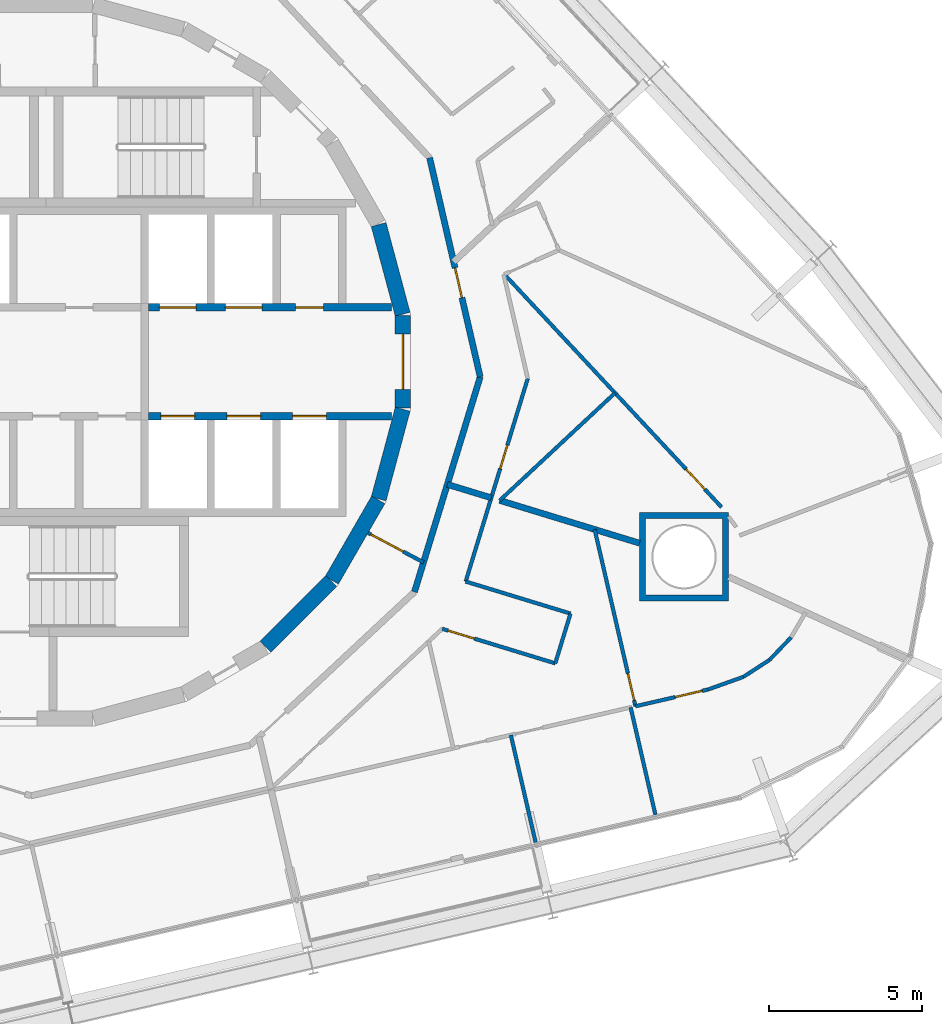
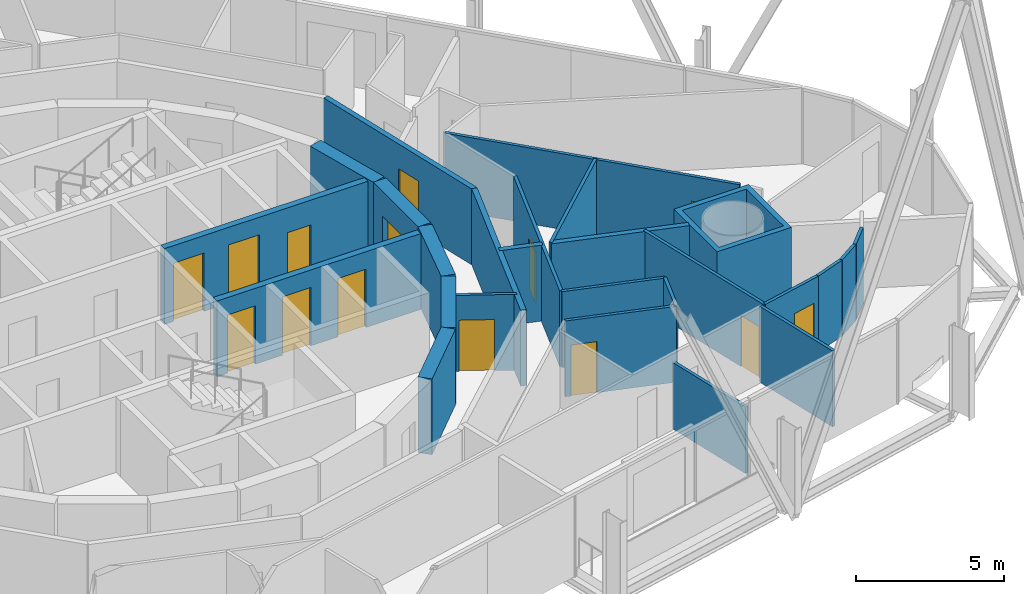
# One storey, part 14 of 18: 26 walls, 14 doors, 14 openings.
"""IFC4 building model written with IfcOpenShell, lengths in metres."""

from ifc_helpers import new_model, si_unit, direction, frame, frame_2d, origin, place, context, subcontext, project, spatial, polyline, rectangle, outline, extrude, material, layer, layer_set, type_object, element, fill, save


model = new_model("IFC4")

# Units and contexts
model_context = context("Model", 3, precision=1e-05, world=origin(), true_north=direction((0.0, 1.0)))
body_context = subcontext(model_context, "Body", "Model", "MODEL_VIEW")
ifc_project = project(units=[si_unit("LENGTHUNIT", "METRE"), si_unit("AREAUNIT", "SQUARE_METRE"), si_unit("VOLUMEUNIT", "CUBIC_METRE"), si_unit("PLANEANGLEUNIT", "RADIAN"), si_unit("MASSUNIT", "GRAM", prefix="KILO")], contexts=[model_context])

# Site, building, storey
site_placement = place(None, origin())
site = spatial("IfcSite", under=ifc_project, at=site_placement, CompositionType="ELEMENT")
building_placement = place(site_placement, origin())
building = spatial("IfcBuilding", under=site, at=building_placement, Name="Spindle Arch Residences", CompositionType="ELEMENT")
storey_placement = place(building_placement, frame((0.0, 0.0, 127.39990234375)))
storey = spatial("IfcBuildingStorey", under=building, at=storey_placement, Name="L31", CompositionType="ELEMENT", Elevation=127.39990234375)

# Walls
ifc_material_1 = material(Name="Concrete C50/60", Category="concrete")
ifc_layer_1 = layer(ifc_material_1, 0.5)
ifc_layer_set_1 = layer_set([ifc_layer_1], Name="Core outline wall 500")
wall_type_1 = type_object("IfcWallType", Name="Core outline wall 500", PredefinedType="SHEAR", material=ifc_layer_set_1)
wall_1_placement = place(storey_placement, frame((7.163818359375, -9.30810546875, 0.0), z_axis=(0.0, 0.0, 1.0), x_axis=(0.707106781187, 0.707106781187, 0.0)))
element("IfcWall", 1, at=wall_1_placement, inside=storey, type_object=wall_type_1, Name="Core outline wall 3", PredefinedType="SHEAR", context=body_context, shape_type="SweptSolid", body=[
    extrude(rectangle(XDim=3.032470703125, YDim=0.5, at=frame_2d((1.51611328125, 0.0))), origin(), (0.0, 0.0, 1.0), 3.1201171875),
])
for number, where, z_axis, x_axis, name in (
    (2, (9.32861328125, -7.13671875, 0.0), (0.0, 0.0, 1.0), (0.500087131594, 0.865975092491, 0.0), "Core outline wall 4"),
    (3, (10.858154296875, -4.479248046875, 0.0), (0.0, 0.0, 1.0), (0.258734743916, 0.965948410781, 0.0), "Core outline wall 5"),
):
    element("IfcWall", number, at=place(storey_placement, frame(where, z_axis=z_axis, x_axis=x_axis)), inside=storey, type_object=wall_type_1, Name=name, PredefinedType="SHEAR", context=body_context, shape_type="SweptSolid", body=[
        extrude(rectangle(XDim=3.03271484375, YDim=0.5, at=frame_2d((1.516357421875, 0.0))), origin(), (0.0, 0.0, 1.0), 3.1201171875),
    ])

# Wall, opening, door
wall_2_placement = place(storey_placement, frame((11.647216796875, -1.516357421875, 0.0), z_axis=(0.0, 0.0, 1.0), x_axis=(0.0, 1.0, 0.0)))
wall_2 = element("IfcWall", 4, at=wall_2_placement, inside=storey, type_object=wall_type_1, Name="Core outline wall 6", PredefinedType="SHEAR", context=body_context, shape_type="SweptSolid", body=[
    extrude(rectangle(XDim=3.03271484375, YDim=0.5, at=frame_2d((1.516357421875, 0.0))), origin(), (0.0, 0.0, 1.0), 3.1201171875),
])
opening_1_placement = place(wall_2_placement, frame((0.6162109375, 0.0, 0.0)))
opening_1 = element("IfcOpeningElement", 5, at=opening_1_placement, cuts=wall_2, Name="Opening R3B0-FE01", PredefinedType="OPENING", context=body_context, shape_type="SweptSolid", body=[
    extrude(rectangle(XDim=1.800048828125, YDim=2.10009765625, at=frame_2d((0.89990234375, 1.050048828125))), frame((0.0, 0.260009765625, 0.0), z_axis=(0.0, -1.0, 0.0), x_axis=(1.0, 0.0, 0.0)), (0.0, 0.0, 1.0), 0.52001953125),
])
ifc_material_2 = material(Name="Steel, fire-resisting door", Category="steel")
door_type_1 = type_object("IfcDoorType", Name="Fire-lift lobby door 1800x2100", OperationType="DOUBLE_DOOR_SINGLE_SWING", PredefinedType="DOOR", material=ifc_material_2)
door_1_placement = place(opening_1_placement, origin())
door_1 = element("IfcDoor", 6, at=door_1_placement, inside=storey, type_object=door_type_1, Name="Fire-lift lobby door R3B0-FE01", OperationType="DOUBLE_DOOR_SINGLE_SWING", OverallHeight=2.10009765625, OverallWidth=1.800048828125, PredefinedType="DOOR", context=body_context, shape_type="SweptSolid", body=[
    extrude(rectangle(XDim=1.800048828125, YDim=2.10009765625, at=frame_2d((0.89990234375, 1.050048828125))), frame((0.0, 0.02490234375, 0.0), z_axis=(0.0, -1.0, 0.0), x_axis=(1.0, 0.0, 0.0)), (0.0, 0.0, 1.0), 0.050048828125),
])
fill(opening_1, door_1)

# Wall
wall_3_placement = place(storey_placement, frame((11.642822265625, 1.5498046875, 0.0), z_axis=(0.0, 0.0, 1.0), x_axis=(-0.258734743916, 0.965948410781, 0.0)))
element("IfcWall", 7, at=wall_3_placement, inside=storey, type_object=wall_type_1, Name="Core outline wall 7", PredefinedType="SHEAR", context=body_context, shape_type="SweptSolid", body=[
    extrude(rectangle(XDim=3.03271484375, YDim=0.5, at=frame_2d((1.516357421875, 0.0))), origin(), (0.0, 0.0, 1.0), 3.1201171875),
])

# Wall, opening, door
ifc_material_3 = material(Name="Plasterboard on steel studs", Category="steel")
ifc_layer_2 = layer(ifc_material_3, 0.1201171875)
ifc_layer_set_2 = layer_set([ifc_layer_2], Name="Corridor division wall 120")
wall_type_2 = type_object("IfcWallType", Name="Corridor division wall 120", PredefinedType="PARTITIONING", material=ifc_layer_set_2)
wall_4_placement = place(storey_placement, frame((10.510986328125, -5.5888671875, 0.0), z_axis=(0.0, 0.0, 1.0), x_axis=(0.882987820808, -0.469395897196, 0.0)))
wall_4 = element("IfcWall", 8, at=wall_4_placement, inside=storey, type_object=wall_type_2, Name="Corridor division wall R3B0-W002", PredefinedType="PARTITIONING", context=body_context, shape_type="SweptSolid", body=[
    extrude(rectangle(XDim=2.0517578125, YDim=0.1201171875, at=frame_2d((1.02587890625, 0.0))), origin(), (0.0, 0.0, 1.0), 3.1201171875),
])
opening_2_placement = place(wall_4_placement, frame((0.10009765625, 0.0, 0.0)))
opening_2 = element("IfcOpeningElement", 9, at=opening_2_placement, cuts=wall_4, Name="Opening R3B0-CD02", PredefinedType="OPENING", context=body_context, shape_type="SweptSolid", body=[
    extrude(rectangle(XDim=1.199951171875, YDim=2.10009765625, at=frame_2d((0.60009765625, 1.050048828125))), frame((0.0, 0.070068359375, 0.0), z_axis=(0.0, -1.0, 0.0), x_axis=(1.0, 0.0, 0.0)), (0.0, 0.0, 1.0), 0.14013671875),
])
ifc_material_4 = material(Name="Steel, fire-resisting door", Category="steel")
door_type_2 = type_object("IfcDoorType", Name="Corridor division door 1200x2100", OperationType="NOTDEFINED", PredefinedType="DOOR", material=ifc_material_4)
door_2_placement = place(opening_2_placement, origin())
door_2 = element("IfcDoor", 10, at=door_2_placement, inside=storey, type_object=door_type_2, Name="Corridor division door R3B0-CD02", OperationType="DOUBLE_DOOR_SINGLE_SWING", OverallHeight=2.10009765625, OverallWidth=1.199951171875, PredefinedType="DOOR", context=body_context, shape_type="SweptSolid", body=[
    extrude(rectangle(XDim=1.199951171875, YDim=2.10009765625, at=frame_2d((0.60009765625, 1.050048828125))), frame((0.0, 0.02490234375, 0.0), z_axis=(0.0, -1.0, 0.0), x_axis=(1.0, 0.0, 0.0)), (0.0, 0.0, 1.0), 0.050048828125),
])
fill(opening_2, door_2)

ifc_material_5 = material(Name="Calcium silicate block, plastered")
ifc_layer_3 = layer(ifc_material_5, 0.199951171875)
ifc_layer_set_3 = layer_set([ifc_layer_3], Name="Corridor wall 200")
wall_type_3 = type_object("IfcWallType", Name="Corridor wall 200", PredefinedType="STANDARD", material=ifc_layer_set_3)
wall_5_placement = place(storey_placement, frame((14.174560546875, -0.4951171875, 0.0), z_axis=(0.0, 0.0, 1.0), x_axis=(-0.224922649383, 0.974376622151, 0.0)))
wall_5 = element("IfcWall", 11, at=wall_5_placement, inside=storey, type_object=wall_type_3, Name="Corridor wall R3B0-W004", PredefinedType="STANDARD", context=body_context, shape_type="SweptSolid", body=[
    extrude(rectangle(XDim=7.342041015625, YDim=0.199951171875, at=frame_2d((3.6708984375, 0.0))), origin(), (0.0, 0.0, 1.0), 3.1201171875),
])
opening_3_placement = place(wall_5_placement, frame((2.654541015625, 0.0, 0.0)))
opening_3 = element("IfcOpeningElement", 12, at=opening_3_placement, cuts=wall_5, Name="Opening R3B0-FD06", PredefinedType="OPENING", context=body_context, shape_type="SweptSolid", body=[
    extrude(rectangle(XDim=1.0, YDim=2.10009765625, at=frame_2d((0.5, 1.050048828125))), frame((0.0, 0.10986328125, 0.0), z_axis=(0.0, -1.0, 0.0), x_axis=(1.0, 0.0, 0.0)), (0.0, 0.0, 1.0), 0.219970703125),
])
ifc_material_6 = material(Name="Timber, fire-resisting door set", Category="wood")
door_type_3 = type_object("IfcDoorType", Name="Flat entrance door 1000x2100", OperationType="NOTDEFINED", PredefinedType="DOOR", material=ifc_material_6)
door_3_placement = place(opening_3_placement, origin())
door_3 = element("IfcDoor", 13, at=door_3_placement, inside=storey, type_object=door_type_3, Name="Flat entrance door R3B0-FD06", OperationType="SINGLE_SWING_LEFT", OverallHeight=2.10009765625, OverallWidth=1.0, PredefinedType="DOOR", context=body_context, shape_type="SweptSolid", body=[
    extrude(rectangle(XDim=1.0, YDim=2.10009765625, at=frame_2d((0.5, 1.050048828125))), frame((0.0, 0.02490234375, 0.0), z_axis=(0.0, -1.0, 0.0), x_axis=(1.0, 0.0, 0.0)), (0.0, 0.0, 1.0), 0.050048828125),
])
fill(opening_3, door_3)

# Wall
wall_6_placement = place(storey_placement, frame((12.028076171875, -7.51611328125, 0.0), z_axis=(0.0, 0.0, 1.0), x_axis=(0.292365533182, 0.956306642771, 0.0)))
element("IfcWall", 14, at=wall_6_placement, inside=storey, type_object=wall_type_3, Name="Corridor wall R3B0-W008", PredefinedType="STANDARD", context=body_context, shape_type="SweptSolid", body=[
    extrude(rectangle(XDim=7.341796875, YDim=0.199951171875, at=frame_2d((3.6708984375, 0.0))), origin(), (0.0, 0.0, 1.0), 3.1201171875),
])

# Wall, openings, doors
ifc_material_7 = material(Name="Concrete C40/50", Category="concrete")
ifc_layer_4 = layer(ifc_material_7, 0.25)
ifc_layer_set_4 = layer_set([ifc_layer_4], Name="Fire-lift lobby wall 250")
wall_type_4 = type_object("IfcWallType", Name="Fire-lift lobby wall 250", PredefinedType="SHEAR", material=ifc_layer_set_4)
wall_7_placement = place(storey_placement, frame((3.35009765625, 1.77490234375, 0.0), z_axis=(0.0, 0.0, 1.0), x_axis=(1.0, 0.0, 0.0)))
wall_7 = element("IfcWall", 15, at=wall_7_placement, inside=storey, type_object=wall_type_4, Name="Lift shaft front wall NE", PredefinedType="SHEAR", context=body_context, shape_type="SweptSolid", body=[
    extrude(rectangle(XDim=7.929931640625, YDim=0.25, at=frame_2d((3.96484375, 0.0))), origin(), (0.0, 0.0, 1.0), 3.1201171875),
])
opening_4_placement = place(wall_7_placement, frame((0.35009765625, 0.0, 0.0)))
opening_4 = element("IfcOpeningElement", 16, at=opening_4_placement, cuts=wall_7, Name="Opening R3B0-SLD01", PredefinedType="OPENING", context=body_context, shape_type="SweptSolid", body=[
    extrude(rectangle(XDim=1.199951171875, YDim=2.39990234375, at=frame_2d((0.60009765625, 1.199951171875))), frame((0.0, 0.135009765625, 0.0), z_axis=(0.0, -1.0, 0.0), x_axis=(1.0, 0.0, 0.0)), (0.0, 0.0, 1.0), 0.27001953125),
])
opening_5_placement = place(wall_7_placement, frame((2.5, 0.0, 0.0)))
opening_5 = element("IfcOpeningElement", 17, at=opening_5_placement, cuts=wall_7, Name="Opening R3B0-SLD02", PredefinedType="OPENING", context=body_context, shape_type="SweptSolid", body=[
    extrude(rectangle(XDim=1.199951171875, YDim=2.39990234375, at=frame_2d((0.60009765625, 1.199951171875))), frame((0.0, 0.135009765625, 0.0), z_axis=(0.0, -1.0, 0.0), x_axis=(1.0, 0.0, 0.0)), (0.0, 0.0, 1.0), 0.27001953125),
])
opening_6_placement = place(wall_7_placement, frame((4.800048828125, 0.0, 0.0)))
opening_6 = element("IfcOpeningElement", 18, at=opening_6_placement, cuts=wall_7, Name="Opening R3B0-WD02", PredefinedType="OPENING", context=body_context, shape_type="SweptSolid", body=[
    extrude(rectangle(XDim=0.89990234375, YDim=2.10009765625, at=frame_2d((0.449951171875, 1.050048828125))), frame((0.0, 0.135009765625, 0.0), z_axis=(0.0, -1.0, 0.0), x_axis=(1.0, 0.0, 0.0)), (0.0, 0.0, 1.0), 0.27001953125),
])
ifc_material_8 = material(Name="Steel, fire-resisting landing door", Category="steel")
door_type_4 = type_object("IfcDoorType", Name="Service lift landing door 1200x2400", OperationType="DOUBLE_DOOR_SLIDING", PredefinedType="DOOR", material=ifc_material_8)
door_4_placement = place(opening_4_placement, origin())
door_4 = element("IfcDoor", 19, at=door_4_placement, inside=storey, type_object=door_type_4, Name="Service lift landing door R3B0-SLD01", OperationType="DOUBLE_DOOR_SLIDING", OverallHeight=2.39990234375, OverallWidth=1.199951171875, PredefinedType="DOOR", context=body_context, shape_type="SweptSolid", body=[
    extrude(rectangle(XDim=1.199951171875, YDim=2.39990234375, at=frame_2d((0.60009765625, 1.199951171875))), frame((0.0, 0.02490234375, 0.0), z_axis=(0.0, -1.0, 0.0), x_axis=(1.0, 0.0, 0.0)), (0.0, 0.0, 1.0), 0.050048828125),
])
fill(opening_4, door_4)
door_5_placement = place(opening_5_placement, origin())
door_5 = element("IfcDoor", 20, at=door_5_placement, inside=storey, type_object=door_type_4, Name="Service lift landing door R3B0-SLD02", OperationType="DOUBLE_DOOR_SLIDING", OverallHeight=2.39990234375, OverallWidth=1.199951171875, PredefinedType="DOOR", context=body_context, shape_type="SweptSolid", body=[
    extrude(rectangle(XDim=1.199951171875, YDim=2.39990234375, at=frame_2d((0.60009765625, 1.199951171875))), frame((0.0, 0.02490234375, 0.0), z_axis=(0.0, -1.0, 0.0), x_axis=(1.0, 0.0, 0.0)), (0.0, 0.0, 1.0), 0.050048828125),
])
fill(opening_5, door_5)
ifc_material_9 = material(Name="Steel, fire-resisting door", Category="steel")
door_type_5 = type_object("IfcDoorType", Name="Service room door 900x2100", OperationType="SINGLE_SWING_LEFT", PredefinedType="DOOR", material=ifc_material_9)
door_6_placement = place(opening_6_placement, origin())
door_6 = element("IfcDoor", 21, at=door_6_placement, inside=storey, type_object=door_type_5, Name="Service room door R3B0-WD02", OperationType="SINGLE_SWING_LEFT", OverallHeight=2.10009765625, OverallWidth=0.89990234375, PredefinedType="DOOR", context=body_context, shape_type="SweptSolid", body=[
    extrude(rectangle(XDim=0.89990234375, YDim=2.10009765625, at=frame_2d((0.449951171875, 1.050048828125))), frame((0.0, 0.02490234375, 0.0), z_axis=(0.0, -1.0, 0.0), x_axis=(1.0, 0.0, 0.0)), (0.0, 0.0, 1.0), 0.050048828125),
])
fill(opening_6, door_6)

ifc_material_10 = material(Name="Concrete C50/60", Category="concrete")
ifc_layer_5 = layer(ifc_material_10, 0.25)
ifc_layer_set_5 = layer_set([ifc_layer_5], Name="Fire-lift shaft wall 250")
wall_type_5 = type_object("IfcWallType", Name="Fire-lift shaft wall 250", PredefinedType="SHEAR", material=ifc_layer_set_5)
wall_8_placement = place(storey_placement, frame((3.35009765625, -1.77490234375, 0.0), z_axis=(0.0, 0.0, 1.0), x_axis=(1.0, 0.0, 0.0)))
wall_8 = element("IfcWall", 22, at=wall_8_placement, inside=storey, type_object=wall_type_5, Name="Lift shaft front wall SE", PredefinedType="SHEAR", context=body_context, shape_type="SweptSolid", body=[
    extrude(rectangle(XDim=7.929931640625, YDim=0.25, at=frame_2d((3.96484375, 0.0))), origin(), (0.0, 0.0, 1.0), 3.1201171875),
])
opening_7_placement = place(wall_8_placement, frame((0.39990234375, 0.0, 0.0)))
opening_7 = element("IfcOpeningElement", 23, at=opening_7_placement, cuts=wall_8, Name="Opening R3B0-FLD01", PredefinedType="OPENING", context=body_context, shape_type="SweptSolid", body=[
    extrude(rectangle(XDim=1.10009765625, YDim=2.39990234375, at=frame_2d((0.550048828125, 1.199951171875))), frame((0.0, 0.135009765625, 0.0), z_axis=(0.0, -1.0, 0.0), x_axis=(1.0, 0.0, 0.0)), (0.0, 0.0, 1.0), 0.27001953125),
])
opening_8_placement = place(wall_8_placement, frame((2.550048828125, 0.0, 0.0)))
opening_8 = element("IfcOpeningElement", 24, at=opening_8_placement, cuts=wall_8, Name="Opening R3B0-FLD02", PredefinedType="OPENING", context=body_context, shape_type="SweptSolid", body=[
    extrude(rectangle(XDim=1.10009765625, YDim=2.39990234375, at=frame_2d((0.550048828125, 1.199951171875))), frame((0.0, 0.135009765625, 0.0), z_axis=(0.0, -1.0, 0.0), x_axis=(1.0, 0.0, 0.0)), (0.0, 0.0, 1.0), 0.27001953125),
])
opening_9_placement = place(wall_8_placement, frame((4.699951171875, 0.0, 0.0)))
opening_9 = element("IfcOpeningElement", 25, at=opening_9_placement, cuts=wall_8, Name="Opening R3B0-FLD03", PredefinedType="OPENING", context=body_context, shape_type="SweptSolid", body=[
    extrude(rectangle(XDim=1.10009765625, YDim=2.39990234375, at=frame_2d((0.550048828125, 1.199951171875))), frame((0.0, 0.135009765625, 0.0), z_axis=(0.0, -1.0, 0.0), x_axis=(1.0, 0.0, 0.0)), (0.0, 0.0, 1.0), 0.27001953125),
])
ifc_material_11 = material(Name="Steel, fire-resisting landing door", Category="steel")
door_type_6 = type_object("IfcDoorType", Name="Fire-fighting lift landing door 1100x2400", OperationType="DOUBLE_DOOR_SLIDING", PredefinedType="DOOR", material=ifc_material_11)
door_7_placement = place(opening_7_placement, origin())
door_7 = element("IfcDoor", 26, at=door_7_placement, inside=storey, type_object=door_type_6, Name="Fire-fighting lift landing door R3B0-FLD01", OperationType="DOUBLE_DOOR_SLIDING", OverallHeight=2.39990234375, OverallWidth=1.10009765625, PredefinedType="DOOR", context=body_context, shape_type="SweptSolid", body=[
    extrude(rectangle(XDim=1.10009765625, YDim=2.39990234375, at=frame_2d((0.550048828125, 1.199951171875))), frame((0.0, 0.02490234375, 0.0), z_axis=(0.0, -1.0, 0.0), x_axis=(1.0, 0.0, 0.0)), (0.0, 0.0, 1.0), 0.050048828125),
])
fill(opening_7, door_7)
door_8_placement = place(opening_8_placement, origin())
door_8 = element("IfcDoor", 27, at=door_8_placement, inside=storey, type_object=door_type_6, Name="Fire-fighting lift landing door R3B0-FLD02", OperationType="DOUBLE_DOOR_SLIDING", OverallHeight=2.39990234375, OverallWidth=1.10009765625, PredefinedType="DOOR", context=body_context, shape_type="SweptSolid", body=[
    extrude(rectangle(XDim=1.10009765625, YDim=2.39990234375, at=frame_2d((0.550048828125, 1.199951171875))), frame((0.0, 0.02490234375, 0.0), z_axis=(0.0, -1.0, 0.0), x_axis=(1.0, 0.0, 0.0)), (0.0, 0.0, 1.0), 0.050048828125),
])
fill(opening_8, door_8)
door_9_placement = place(opening_9_placement, origin())
door_9 = element("IfcDoor", 28, at=door_9_placement, inside=storey, type_object=door_type_6, Name="Fire-fighting lift landing door R3B0-FLD03", OperationType="DOUBLE_DOOR_SLIDING", OverallHeight=2.39990234375, OverallWidth=1.10009765625, PredefinedType="DOOR", context=body_context, shape_type="SweptSolid", body=[
    extrude(rectangle(XDim=1.10009765625, YDim=2.39990234375, at=frame_2d((0.550048828125, 1.199951171875))), frame((0.0, 0.02490234375, 0.0), z_axis=(0.0, -1.0, 0.0), x_axis=(1.0, 0.0, 0.0)), (0.0, 0.0, 1.0), 0.050048828125),
])
fill(opening_9, door_9)

# Wall, opening, door
ifc_material_12 = material(Name="Plasterboard on steel studs", Category="steel")
ifc_layer_6 = layer(ifc_material_12, 0.1201171875)
ifc_layer_set_6 = layer_set([ifc_layer_6], Name="Flat partition 120")
wall_type_6 = type_object("IfcWallType", Name="Flat partition 120", PredefinedType="PARTITIONING", material=ifc_layer_set_6)
wall_9_placement = place(storey_placement, frame((12.935302734375, -8.720947265625, 0.0), z_axis=(0.0, 0.0, 1.0), x_axis=(0.956306865441, -0.292364804843, 0.0)))
wall_9 = element("IfcWall", 29, at=wall_9_placement, inside=storey, type_object=wall_type_6, Name="Flat partition R3B0-W086", PredefinedType="PARTITIONING", context=body_context, shape_type="SweptSolid", body=[
    extrude(rectangle(XDim=3.85888671875, YDim=0.1201171875, at=frame_2d((1.929443359375, 0.0))), origin(), (0.0, 0.0, 1.0), 3.1201171875),
])
opening_10_placement = place(wall_9_placement, frame((0.199951171875, 0.0, 0.0)))
opening_10 = element("IfcOpeningElement", 30, at=opening_10_placement, cuts=wall_9, Name="Opening R3B0-ID24", PredefinedType="OPENING", context=body_context, shape_type="SweptSolid", body=[
    extrude(rectangle(XDim=0.89990234375, YDim=2.10009765625, at=frame_2d((0.449951171875, 1.050048828125))), frame((0.0, 0.070068359375, 0.0), z_axis=(0.0, -1.0, 0.0), x_axis=(1.0, 0.0, 0.0)), (0.0, 0.0, 1.0), 0.14013671875),
])
ifc_material_13 = material(Name="Timber door set", Category="wood")
door_type_7 = type_object("IfcDoorType", Name="Room door 900x2100", OperationType="NOTDEFINED", PredefinedType="DOOR", material=ifc_material_13)
door_10_placement = place(opening_10_placement, origin())
door_10 = element("IfcDoor", 31, at=door_10_placement, inside=storey, type_object=door_type_7, Name="Room door R3B0-ID24", OperationType="SINGLE_SWING_RIGHT", OverallHeight=2.10009765625, OverallWidth=0.89990234375, PredefinedType="DOOR", context=body_context, shape_type="SweptSolid", body=[
    extrude(rectangle(XDim=0.89990234375, YDim=2.10009765625, at=frame_2d((0.449951171875, 1.050048828125))), frame((0.0, 0.02490234375, 0.0), z_axis=(0.0, -1.0, 0.0), x_axis=(1.0, 0.0, 0.0)), (0.0, 0.0, 1.0), 0.050048828125),
])
fill(opening_10, door_10)

# Walls
wall_10_placement = place(storey_placement, frame((16.62548828125, -9.84912109375, 0.0), z_axis=(0.0, 0.0, 1.0), x_axis=(0.292390011609, 0.956299158795, 0.0)))
element("IfcWall", 32, at=wall_10_placement, inside=storey, type_object=wall_type_6, Name="Flat partition R3B0-W087", PredefinedType="PARTITIONING", context=body_context, shape_type="SweptSolid", body=[
    extrude(rectangle(XDim=1.699951171875, YDim=0.1201171875, at=frame_2d((0.85009765625, 0.0))), origin(), (0.0, 0.0, 1.0), 3.1201171875),
])
wall_11_placement = place(storey_placement, frame((17.12255859375, -8.223388671875, 0.0), z_axis=(0.0, 0.0, 1.0), x_axis=(-0.956299657224, 0.292388381428, 0.0)))
element("IfcWall", 33, at=wall_11_placement, inside=storey, type_object=wall_type_6, Name="Flat partition R3B0-W088", PredefinedType="PARTITIONING", context=body_context, shape_type="SweptSolid", body=[
    extrude(rectangle(XDim=3.578857421875, YDim=0.1201171875, at=frame_2d((1.78955078125, 0.0))), origin(), (0.0, 0.0, 1.0), 3.1201171875),
])

# Wall, opening, door
wall_12_placement = place(storey_placement, frame((13.7001953125, -7.177001953125, 0.0), z_axis=(0.0, 0.0, 1.0), x_axis=(0.292382309758, 0.956301513614, 0.0)))
wall_12 = element("IfcWall", 34, at=wall_12_placement, inside=storey, type_object=wall_type_6, Name="Flat partition R3B0-W089", PredefinedType="PARTITIONING", context=body_context, shape_type="SweptSolid", body=[
    extrude(rectangle(XDim=6.930419921875, YDim=0.1201171875, at=frame_2d((3.46533203125, 0.0))), origin(), (0.0, 0.0, 1.0), 3.1201171875),
])
opening_11_placement = place(wall_12_placement, frame((3.85791015625, 0.0, 0.0)))
opening_11 = element("IfcOpeningElement", 35, at=opening_11_placement, cuts=wall_12, Name="Opening R3B0-BD07", PredefinedType="OPENING", context=body_context, shape_type="SweptSolid", body=[
    extrude(rectangle(XDim=0.800048828125, YDim=2.10009765625, at=frame_2d((0.39990234375, 1.050048828125))), frame((0.0, 0.070068359375, 0.0), z_axis=(0.0, -1.0, 0.0), x_axis=(1.0, 0.0, 0.0)), (0.0, 0.0, 1.0), 0.14013671875),
])
ifc_material_14 = material(Name="Timber door set", Category="wood")
door_type_8 = type_object("IfcDoorType", Name="Bathroom door 800x2100", OperationType="NOTDEFINED", PredefinedType="DOOR", material=ifc_material_14)
door_11_placement = place(opening_11_placement, origin())
door_11 = element("IfcDoor", 36, at=door_11_placement, inside=storey, type_object=door_type_8, Name="Bathroom door R3B0-BD07", OperationType="SINGLE_SWING_LEFT", OverallHeight=2.10009765625, OverallWidth=0.800048828125, PredefinedType="DOOR", context=body_context, shape_type="SweptSolid", body=[
    extrude(rectangle(XDim=0.800048828125, YDim=2.10009765625, at=frame_2d((0.39990234375, 1.050048828125))), frame((0.0, 0.02490234375, 0.0), z_axis=(0.0, -1.0, 0.0), x_axis=(1.0, 0.0, 0.0)), (0.0, 0.0, 1.0), 0.050048828125),
])
fill(opening_11, door_11)

# Wall
wall_13_placement = place(storey_placement, frame((19.896240234375, -14.794189453125, 0.0), z_axis=(0.0, 0.0, 1.0), x_axis=(-0.224958568294, 0.974368330023, 0.0)))
element("IfcWall", 37, at=wall_13_placement, inside=storey, type_object=wall_type_6, Name="Flat partition R3B0-W092", PredefinedType="PARTITIONING", context=body_context, shape_type="SweptSolid", body=[
    extrude(rectangle(XDim=3.599853515625, YDim=0.1201171875, at=frame_2d((1.7998046875, 0.0))), origin(), (0.0, 0.0, 1.0), 3.1201171875),
])

# Wall, opening, door
wall_14_placement = place(storey_placement, frame((19.2451171875, -11.25, 0.0), z_axis=(0.0, 0.0, 1.0), x_axis=(-0.224958805164, 0.974368275335, 0.0)))
wall_14 = element("IfcWall", 38, at=wall_14_placement, inside=storey, type_object=wall_type_6, Name="Flat partition R3B0-W093", PredefinedType="PARTITIONING", context=body_context, shape_type="SweptSolid", body=[
    extrude(rectangle(XDim=5.925537109375, YDim=0.1201171875, at=frame_2d((2.962890625, 0.0))), origin(), (0.0, 0.0, 1.0), 3.1201171875),
])
opening_12_placement = place(wall_14_placement, frame((0.199951171875, 0.0, 0.0)))
opening_12 = element("IfcOpeningElement", 39, at=opening_12_placement, cuts=wall_14, Name="Opening R3B0-ID27", PredefinedType="OPENING", context=body_context, shape_type="SweptSolid", body=[
    extrude(rectangle(XDim=0.89990234375, YDim=2.10009765625, at=frame_2d((0.449951171875, 1.050048828125))), frame((0.0, 0.070068359375, 0.0), z_axis=(0.0, -1.0, 0.0), x_axis=(1.0, 0.0, 0.0)), (0.0, 0.0, 1.0), 0.14013671875),
])
door_12_placement = place(opening_12_placement, origin())
door_12 = element("IfcDoor", 40, at=door_12_placement, inside=storey, type_object=door_type_7, Name="Room door R3B0-ID27", OperationType="SINGLE_SWING_RIGHT", OverallHeight=2.10009765625, OverallWidth=0.89990234375, PredefinedType="DOOR", context=body_context, shape_type="SweptSolid", body=[
    extrude(rectangle(XDim=0.89990234375, YDim=2.10009765625, at=frame_2d((0.449951171875, 1.050048828125))), frame((0.0, 0.02490234375, 0.0), z_axis=(0.0, -1.0, 0.0), x_axis=(1.0, 0.0, 0.0)), (0.0, 0.0, 1.0), 0.050048828125),
])
fill(opening_12, door_12)

# Walls
for number, where, z_axis, x_axis, name in (
    (41, (24.324462890625, -9.001708984375, 0.0), (0.0, 0.0, 1.0), (-0.690452883014, -0.723377367864, 0.0), "Flat partition R3B0-W095"),
    (42, (23.623046875, -9.736572265625, 0.0), (0.0, 0.0, 1.0), (-0.838718041084, -0.544565925816, 0.0), "Flat partition R3B0-W096"),
):
    element("IfcWall", number, at=place(storey_placement, frame(where, z_axis=z_axis, x_axis=x_axis)), inside=storey, type_object=wall_type_6, Name=name, PredefinedType="PARTITIONING", context=body_context, shape_type="SweptSolid", body=[
        extrude(rectangle(XDim=1.015869140625, YDim=0.1201171875, at=frame_2d((0.5078125, 0.0))), origin(), (0.0, 0.0, 1.0), 3.1201171875),
    ])
wall_15_placement = place(storey_placement, frame((22.77099609375, -10.289794921875, 0.0), z_axis=(0.0, 0.0, 1.0), x_axis=(-0.941701391526, -0.336449831623, 0.0)))
element("IfcWall", 43, at=wall_15_placement, inside=storey, type_object=wall_type_6, Name="Flat partition R3B0-W097", PredefinedType="PARTITIONING", context=body_context, shape_type="SweptSolid", body=[
    extrude(rectangle(XDim=1.22705078125, YDim=0.1201171875, at=frame_2d((0.613525390625, 0.0))), origin(), (0.0, 0.0, 1.0), 3.1201171875),
])

# Wall, opening, door
wall_16_placement = place(storey_placement, frame((21.615478515625, -10.70263671875, 0.0), z_axis=(0.0, 0.0, 1.0), x_axis=(-0.974359049184, -0.224998762825, 0.0)))
wall_16 = element("IfcWall", 44, at=wall_16_placement, inside=storey, type_object=wall_type_6, Name="Flat partition R3B0-W098", PredefinedType="PARTITIONING", context=body_context, shape_type="SweptSolid", body=[
    extrude(rectangle(XDim=2.4326171875, YDim=0.1201171875, at=frame_2d((1.21630859375, 0.0))), origin(), (0.0, 0.0, 1.0), 3.1201171875),
])
opening_13_placement = place(wall_16_placement, frame((0.199951171875, 0.0, 0.0)))
opening_13 = element("IfcOpeningElement", 45, at=opening_13_placement, cuts=wall_16, Name="Opening R3B0-ID28", PredefinedType="OPENING", context=body_context, shape_type="SweptSolid", body=[
    extrude(rectangle(XDim=0.89990234375, YDim=2.10009765625, at=frame_2d((0.449951171875, 1.050048828125))), frame((0.0, 0.070068359375, 0.0), z_axis=(0.0, -1.0, 0.0), x_axis=(1.0, 0.0, 0.0)), (0.0, 0.0, 1.0), 0.14013671875),
])
door_13_placement = place(opening_13_placement, origin())
door_13 = element("IfcDoor", 46, at=door_13_placement, inside=storey, type_object=door_type_7, Name="Room door R3B0-ID28", OperationType="SINGLE_SWING_RIGHT", OverallHeight=2.10009765625, OverallWidth=0.89990234375, PredefinedType="DOOR", context=body_context, shape_type="SweptSolid", body=[
    extrude(rectangle(XDim=0.89990234375, YDim=2.10009765625, at=frame_2d((0.449951171875, 1.050048828125))), frame((0.0, 0.02490234375, 0.0), z_axis=(0.0, -1.0, 0.0), x_axis=(1.0, 0.0, 0.0)), (0.0, 0.0, 1.0), 0.050048828125),
])
fill(opening_13, door_13)

# Wall
wall_17_placement = place(storey_placement, frame((18.5771484375, -1.019775390625, 0.0), z_axis=(0.0, 0.0, 1.0), x_axis=(-0.731348673524, -0.682003751994, 0.0)))
element("IfcWall", 47, at=wall_17_placement, inside=storey, type_object=wall_type_6, Name="Flat partition R3B0-W106", PredefinedType="PARTITIONING", context=body_context, shape_type="SweptSolid", body=[
    extrude(rectangle(XDim=5.1455078125, YDim=0.1201171875, at=frame_2d((2.57275390625, 0.0))), origin(), (0.0, 0.0, 1.0), 3.1201171875),
])

# Wall, opening, door
wall_18_placement = place(storey_placement, frame((22.054443359375, -4.748779296875, 0.0), z_axis=(0.0, 0.0, 1.0), x_axis=(-0.682014558945, 0.731338595582, 0.0)))
wall_18 = element("IfcWall", 48, at=wall_18_placement, inside=storey, type_object=wall_type_6, Name="Flat partition R3B0-W107", PredefinedType="PARTITIONING", context=body_context, shape_type="SweptSolid", body=[
    extrude(rectangle(XDim=10.3994140625, YDim=0.1201171875, at=frame_2d((5.19970703125, 0.0))), origin(), (0.0, 0.0, 1.0), 3.1201171875),
])
opening_14_placement = place(wall_18_placement, frame((0.800048828125, 0.0, 0.0)))
opening_14 = element("IfcOpeningElement", 49, at=opening_14_placement, cuts=wall_18, Name="Opening R3B0-ID32", PredefinedType="OPENING", context=body_context, shape_type="SweptSolid", body=[
    extrude(rectangle(XDim=0.89990234375, YDim=2.10009765625, at=frame_2d((0.449951171875, 1.050048828125))), frame((0.0, 0.070068359375, 0.0), z_axis=(0.0, -1.0, 0.0), x_axis=(1.0, 0.0, 0.0)), (0.0, 0.0, 1.0), 0.14013671875),
])
door_14_placement = place(opening_14_placement, origin())
door_14 = element("IfcDoor", 50, at=door_14_placement, inside=storey, type_object=door_type_7, Name="Room door R3B0-ID32", OperationType="SINGLE_SWING_RIGHT", OverallHeight=2.10009765625, OverallWidth=0.89990234375, PredefinedType="DOOR", context=body_context, shape_type="SweptSolid", body=[
    extrude(rectangle(XDim=0.89990234375, YDim=2.10009765625, at=frame_2d((0.449951171875, 1.050048828125))), frame((0.0, 0.02490234375, 0.0), z_axis=(0.0, -1.0, 0.0), x_axis=(1.0, 0.0, 0.0)), (0.0, 0.0, 1.0), 0.050048828125),
])
fill(opening_14, door_14)

# Walls
ifc_material_15 = material(Name="Plasterboard on steel studs", Category="steel")
ifc_layer_7 = layer(ifc_material_15, 0.1201171875)
ifc_layer_set_7 = layer_set([ifc_layer_7], Name="Flat partition 120 under beam 2730")
wall_type_7 = type_object("IfcWallType", Name="Flat partition 120 under beam 2730", PredefinedType="PARTITIONING", material=ifc_layer_set_7)
wall_19_placement = place(storey_placement, frame((15.984619140625, -15.697509765625, 0.0), z_axis=(0.0, 0.0, 1.0), x_axis=(-0.224943703639, 0.9743717618, 0.0)))
element("IfcWall", 51, at=wall_19_placement, inside=storey, type_object=wall_type_7, Name="Flat partition R3B0-W090", PredefinedType="PARTITIONING", context=body_context, shape_type="SweptSolid", body=[
    extrude(rectangle(XDim=3.60009765625, YDim=0.1201171875, at=frame_2d((1.800048828125, 0.0))), origin(), (0.0, 0.0, 1.0), 2.72998046875),
])
ifc_material_16 = material(Name="Calcium silicate block, plastered")
ifc_layer_8 = layer(ifc_material_16, 0.199951171875)
ifc_layer_set_8 = layer_set([ifc_layer_8], Name="Flat party wall 200")
wall_type_8 = type_object("IfcWallType", Name="Flat party wall 200", PredefinedType="STANDARD", material=ifc_layer_set_8)
wall_20_placement = place(storey_placement, frame((14.535888671875, -4.444091796875, 0.0), z_axis=(0.0, 0.0, 1.0), x_axis=(-0.956326299111, 0.292301230974, 0.0)))
element("IfcWall", 52, at=wall_20_placement, inside=storey, type_object=wall_type_8, Name="Flat party wall R3B0-W024", PredefinedType="STANDARD", context=body_context, shape_type="SweptSolid", body=[
    extrude(rectangle(XDim=1.5, YDim=0.199951171875, at=frame_2d((0.75, 0.0))), origin(), (0.0, 0.0, 1.0), 3.1201171875),
])
wall_21_placement = place(storey_placement, frame((19.3798828125, -5.925048828125, 0.0), z_axis=(0.0, 0.0, 1.0), x_axis=(-0.956301542054, 0.29238221674, 0.0)))
element("IfcWall", 53, at=wall_21_placement, inside=storey, type_object=wall_type_8, Name="Flat party wall R3B0-W025", PredefinedType="STANDARD", context=body_context, shape_type="SweptSolid", body=[
    extrude(rectangle(XDim=4.774658203125, YDim=0.199951171875, at=frame_2d((2.38720703125, 0.0))), origin(), (0.0, 0.0, 1.0), 3.1201171875),
])
ifc_material_17 = material(Name="Calcium silicate block, plastered")
ifc_layer_9 = layer(ifc_material_17, 0.199951171875)
ifc_layer_set_9 = layer_set([ifc_layer_9], Name="Mega-column casing wall 200")
wall_type_9 = type_object("IfcWallType", Name="Mega-column casing wall 200", PredefinedType="STANDARD", material=ifc_layer_set_9)
wall_22_placement = place(storey_placement, origin())
element("IfcWall", 54, at=wall_22_placement, inside=storey, type_object=wall_type_9, Name="Mega-column casing wall R3B0-WC03", PredefinedType="STANDARD", context=body_context, shape_type="SweptSolid", body=[
    extrude(outline(polyline([(22.280029296875, -4.91845703125), (22.280029296875, -7.818359375), (19.3798828125, -7.818359375), (19.3798828125, -4.91845703125), (22.280029296875, -4.91845703125)]), holes=[polyline([(19.580078125, -7.618408203125), (22.080078125, -7.618408203125), (22.080078125, -5.118408203125), (19.580078125, -5.118408203125), (19.580078125, -7.618408203125)])]), origin(), (0.0, 0.0, 1.0), 3.1201171875),
])

save(model, "model.ifc")
